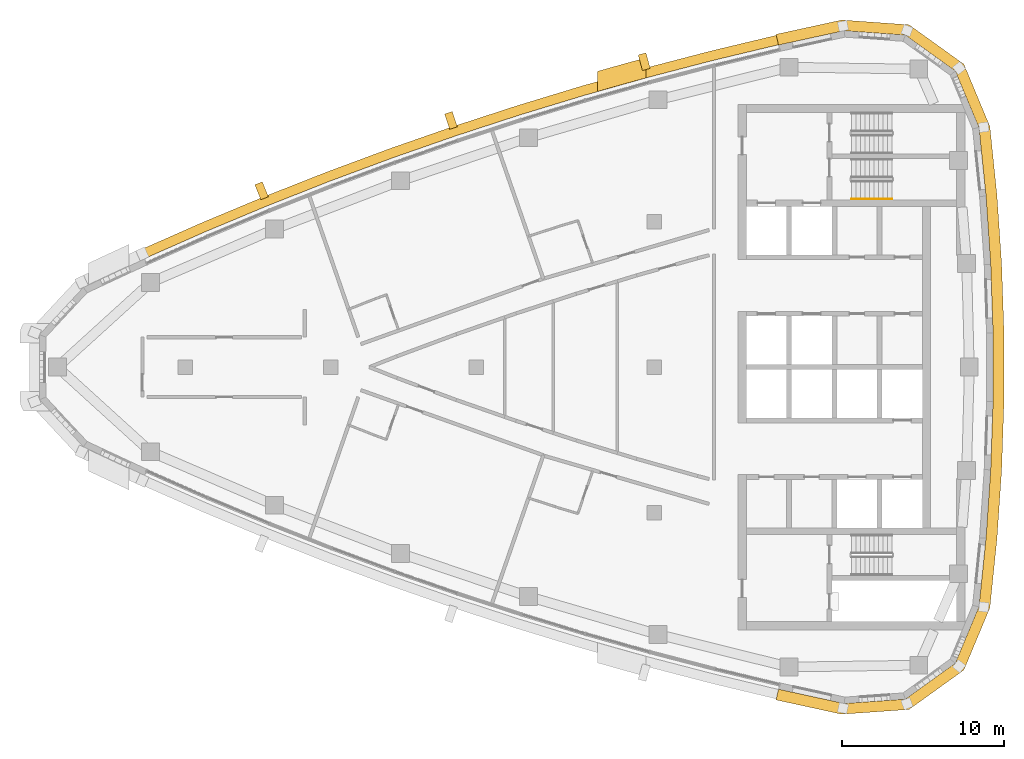
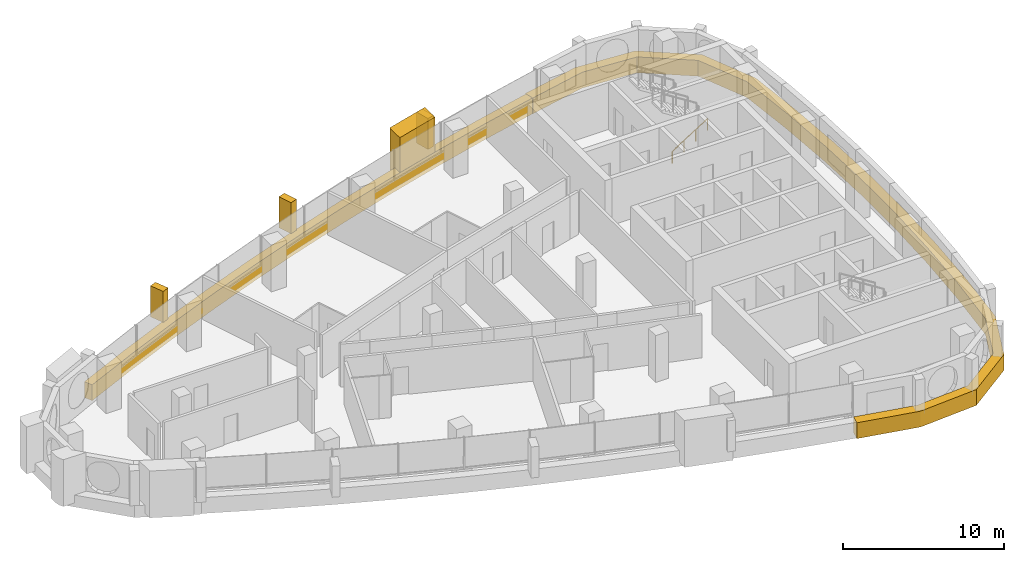
# One storey, part 13 of 14: 6 coverings, 1 railing.
"""IFC4 building model written with IfcOpenShell, lengths in metres."""

import ifcopenshell
import ifcopenshell.guid

model = None  # the IFC model being written
_history = None  # IfcOwnerHistory: only IFC2X3 demands one
_inside = {}  # id of a spatial element -> (the spatial element, [elements in it])
_under = {}  # id of a project, library or spatial element -> (it, [spatial elements below it])
_declared = {}  # id of a project -> (the project, [libraries it declares])
_typed = {}  # id of a type object -> (the type object, [elements of that type])
_made_of = {}  # id of a material, layer set ... -> (it, [elements and type objects made of it])


def new_model(schema):
    """Start an empty IFC model of exactly this schema.

    Asked for "IFC4X3", IfcOpenShell would pick the latest addendum, in which some entities
    have other attributes; the version numbers below select the first issue.
    IFC2X3 requires an IfcOwnerHistory on every rooted entity: one is made here for all.
    """
    global model, _history
    if schema == "IFC4X3":
        model = ifcopenshell.file(schema_version=(4, 3, 0, 0))
    else:
        model = ifcopenshell.file(schema=schema)
    _inside.clear()
    _under.clear()
    _declared.clear()
    _typed.clear()
    _made_of.clear()
    _history = None
    if model.schema == "IFC2X3":
        org = make("IfcOrganization", Name="unknown")
        user = make(
            "IfcPersonAndOrganization",
            ThePerson=make("IfcPerson", FamilyName="unknown"),
            TheOrganization=org,
        )
        app = make(
            "IfcApplication",
            ApplicationDeveloper=org,
            Version="unknown",
            ApplicationFullName="unknown",
            ApplicationIdentifier="unknown",
        )
        _history = make(
            "IfcOwnerHistory",
            OwningUser=user,
            OwningApplication=app,
            ChangeAction="ADDED",
            CreationDate=0,
        )
    return model


def make(cls, **values):
    """One entity of the class cls with the attributes given. An attribute that is None is left unset."""
    return model.create_entity(
        cls, **{name: value for name, value in values.items() if value is not None}
    )


def rooted(cls, **values):
    """An entity with a GlobalId (a new one), such as an element, a storey or a relation."""
    return make(cls, GlobalId=ifcopenshell.guid.new(), OwnerHistory=_history, **values)


def si_unit(unit_type, name, prefix=None):
    """IfcSIUnit, for example si_unit("LENGTHUNIT", "METRE", prefix="MILLI")."""
    return make("IfcSIUnit", UnitType=unit_type, Prefix=prefix, Name=name)


def assignment(units):
    """IfcUnitAssignment: the units of a project."""
    return None if units is None else make("IfcUnitAssignment", Units=units)


def point(xyz):
    """IfcCartesianPoint."""
    return None if xyz is None else make("IfcCartesianPoint", Coordinates=xyz)


def direction(xyz):
    """IfcDirection."""
    return None if xyz is None else make("IfcDirection", DirectionRatios=xyz)


def frame(location, z_axis=None, x_axis=None):
    """IfcAxis2Placement3D, a coordinate frame: its origin and axes. An axis left out is left unset."""
    return make(
        "IfcAxis2Placement3D",
        Location=point(location),
        Axis=direction(z_axis),
        RefDirection=direction(x_axis),
    )


def frame_2d(location, x_axis=None):
    """IfcAxis2Placement2D, a coordinate frame in the plane: its origin and x axis."""
    return make(
        "IfcAxis2Placement2D", Location=point(location), RefDirection=direction(x_axis)
    )


def origin():
    """The frame at (0, 0, 0) with its axes left unset."""
    return frame((0.0, 0.0, 0.0))


def origin_2d():
    """The frame at (0, 0) in the plane with its x axis left unset."""
    return frame_2d((0.0, 0.0))


def place(relative_to, where):
    """IfcLocalPlacement: puts the frame where relative to a parent placement (None: the world)."""
    return make(
        "IfcLocalPlacement", PlacementRelTo=relative_to, RelativePlacement=where
    )


def context(
    kind, dimensions, precision=None, world=None, true_north=None, identifier=None
):
    """IfcGeometricRepresentationContext, for example the 3D "Model" context."""
    return make(
        "IfcGeometricRepresentationContext",
        ContextIdentifier=identifier,
        ContextType=kind,
        CoordinateSpaceDimension=dimensions,
        Precision=precision,
        WorldCoordinateSystem=world,
        TrueNorth=true_north,
    )


def subcontext(parent, identifier, kind, view, scale=None):
    """IfcGeometricRepresentationSubContext, for example "Body" below "Model"."""
    return make(
        "IfcGeometricRepresentationSubContext",
        ContextIdentifier=identifier,
        ContextType=kind,
        ParentContext=parent,
        TargetScale=scale,
        TargetView=view,
    )


def project(units=None, contexts=None):
    """IfcProject with its units and contexts."""
    return rooted(
        "IfcProject",
        Name="project",
        RepresentationContexts=contexts,
        UnitsInContext=assignment(units),
    )


def spatial(cls, under=None, at=None, **own):
    """A site, building, storey or space (cls), placed at a placement, below another one or the project."""
    s = rooted(cls, ObjectPlacement=at, **own)
    if under is not None:
        _under.setdefault(under.id(), (under, []))[1].append(s)
    return s


def polyline(points):
    """IfcPolyline through the points."""
    return make("IfcPolyline", Points=[point(p) for p in points])


def profile(cls, at=None, kind="AREA", **sizes):
    """A parametric profile (cls). Its sizes go by their IFC names, for example OverallWidth=200.0."""
    return make(cls, ProfileType=kind, Position=at, **sizes)


def rectangle(**sizes):
    """IfcRectangleProfileDef."""
    return profile("IfcRectangleProfileDef", **sizes)


def circle(**sizes):
    """IfcCircleProfileDef."""
    return profile("IfcCircleProfileDef", **sizes)


def outline(outer, holes=None, kind="AREA"):
    """IfcArbitraryClosedProfileDef: a profile drawn as a closed curve; with holes, ...WithVoids."""
    if holes is None:
        return make("IfcArbitraryClosedProfileDef", ProfileType=kind, OuterCurve=outer)
    return make(
        "IfcArbitraryProfileDefWithVoids",
        ProfileType=kind,
        OuterCurve=outer,
        InnerCurves=holes,
    )


def extrude(swept, where, along, depth):
    """IfcExtrudedAreaSolid: the profile swept, set in the frame where, extruded along a direction by depth."""
    return make(
        "IfcExtrudedAreaSolid",
        SweptArea=swept,
        Position=where,
        ExtrudedDirection=direction(along),
        Depth=depth,
    )


def shape(context_of_items, identifier, shape_type, items):
    """IfcShapeRepresentation: the items that make up one representation, for example the "Body"."""
    return make(
        "IfcShapeRepresentation",
        ContextOfItems=context_of_items,
        RepresentationIdentifier=identifier,
        RepresentationType=shape_type,
        Items=items,
    )


def material(Name=None, Category=None):
    """IfcMaterial."""
    return make("IfcMaterial", Name=Name, Category=Category)


def layer(
    of_material, thickness, ventilated=None, Name=None, Category=None, Priority=None
):
    """IfcMaterialLayer: one layer of a wall or slab, of a material (None: an air gap)."""
    return make(
        "IfcMaterialLayer",
        Material=of_material,
        LayerThickness=thickness,
        IsVentilated=ventilated,
        Name=Name,
        Category=Category,
        Priority=Priority,
    )


def layer_set(layers, Name=None):
    """IfcMaterialLayerSet."""
    return make("IfcMaterialLayerSet", MaterialLayers=layers, LayerSetName=Name)


def made_of(thing, what):
    """Note that an element or type object is made of a material, layer set ...; save() writes the relation."""
    if what is not None:
        _made_of.setdefault(what.id(), (what, []))[1].append(thing)
    return thing


def type_object(cls, material=None, **own):
    """A type object (cls), such as IfcWallType, which elements share."""
    return made_of(rooted(cls, **own), material)


def element(
    cls,
    number,
    at=None,
    inside=None,
    cuts=None,
    type_object=None,
    material=None,
    context=None,
    identifier="Body",
    shape_type=None,
    held_by="IfcProductDefinitionShape",
    body=None,
    shapes=None,
    **own,
):
    """One element of the class cls, such as IfcWall. Its Tag is "e" and its number.

    at: its placement. inside: the storey or other place that contains it. cuts: it is an
    opening in that element (IfcRelVoidsElement). A single representation is given by context,
    identifier, shape_type and body (its items); several are given by shapes. held_by: the class
    of the entity that holds the representations. save() writes the other relations.
    """
    e = rooted(cls, Tag="e%d" % number, ObjectPlacement=at, **own)
    if body is not None:
        shapes = [shape(context, identifier, shape_type, body)]
    if shapes is not None:
        e.Representation = make(held_by, Representations=shapes)
    if inside is not None:
        _inside.setdefault(inside.id(), (inside, []))[1].append(e)
    if cuts is not None:
        rooted(
            "IfcRelVoidsElement", RelatingBuildingElement=cuts, RelatedOpeningElement=e
        )
    if type_object is not None:
        _typed.setdefault(type_object.id(), (type_object, []))[1].append(e)
    return made_of(e, material)


def aggregate(whole, parts):
    """IfcRelAggregates: a whole, such as a stair, and the parts it consists of."""
    return rooted("IfcRelAggregates", RelatingObject=whole, RelatedObjects=parts)


def save(model, path):
    """Write the relations noted so far, then the file.

    IfcRelAggregates (storeys below a building ...), IfcRelContainedInSpatialStructure (elements
    in a storey), IfcRelDefinesByType, IfcRelAssociatesMaterial and IfcRelDeclares: one each for
    every whole, place, type object, material and project.
    """
    for whole, parts in _under.values():
        aggregate(whole, parts)
    for where, things in _inside.values():
        rooted(
            "IfcRelContainedInSpatialStructure",
            RelatedElements=things,
            RelatingStructure=where,
        )
    for kind, things in _typed.values():
        rooted("IfcRelDefinesByType", RelatedObjects=things, RelatingType=kind)
    for what, things in _made_of.values():
        rooted("IfcRelAssociatesMaterial", RelatedObjects=things, RelatingMaterial=what)
    for by, libraries in _declared.values():
        rooted("IfcRelDeclares", RelatingContext=by, RelatedDefinitions=libraries)
    model.write(path)


model = new_model("IFC4")

# Units and contexts
model_context = context("Model", 3, precision=1e-05, world=origin(), true_north=direction((0.0, 1.0)))
body_context = subcontext(model_context, "Body", "Model", "MODEL_VIEW")
ifc_project = project(units=[si_unit("LENGTHUNIT", "METRE"), si_unit("AREAUNIT", "SQUARE_METRE"), si_unit("VOLUMEUNIT", "CUBIC_METRE"), si_unit("PLANEANGLEUNIT", "RADIAN"), si_unit("MASSUNIT", "GRAM", prefix="KILO")], contexts=[model_context])

# Site, building, storey
site_placement = place(None, origin())
site = spatial("IfcSite", under=ifc_project, at=site_placement, CompositionType="ELEMENT")
building_placement = place(site_placement, origin())
building = spatial("IfcBuilding", under=site, at=building_placement, Name="Ostrand Prow Hotel Tower", CompositionType="ELEMENT")
storey_placement = place(building_placement, frame((0.0, 0.0, 275.0)))
storey = spatial("IfcBuildingStorey", under=building, at=storey_placement, Name="L69", CompositionType="ELEMENT", Elevation=275.0)

# Coverings
ifc_material_1 = material(Name="Bronze anodised aluminium cladding", Category="aluminium")
ifc_layer_1 = layer(ifc_material_1, 0.60009765625)
ifc_layer_set_1 = layer_set([ifc_layer_1], Name="Bronze anodised aluminium cladding")
covering_type_1 = type_object("IfcCoveringType", Name="Bronze spandrel band 1200x600", PredefinedType="CLADDING", material=ifc_layer_set_1)
covering_1_placement = place(storey_placement, frame((0.0, 0.0, -0.300048828125)))
element("IfcCovering", 1, at=covering_1_placement, inside=storey, type_object=covering_type_1, Name="Spandrel band N1", PredefinedType="CLADDING", context=body_context, shape_type="SweptSolid", body=[
    extrude(outline(polyline([(52.55615234375, 20.52880859375), (48.51220703125, 19.56103515625), (44.48828125, 18.51220703125), (40.486328125, 17.382568359375), (36.508056640625, 16.172607421875), (32.5546875, 14.88330078125), (28.62841796875, 13.514404296875), (24.72998046875, 12.067138671875), (20.86181640625, 10.541748046875), (17.02490234375, 8.938720703125), (13.220947265625, 7.25927734375), (13.468994140625, 6.712890625), (17.26171875, 8.3876953125), (21.08740234375, 9.98583984375), (24.944580078125, 11.5068359375), (28.83154296875, 12.949951171875), (32.74658203125, 14.314697265625), (36.6884765625, 15.6005859375), (40.6552734375, 16.806884765625), (44.6455078125, 17.93310546875), (48.65771484375, 18.97900390625), (52.68994140625, 19.94384765625), (52.55615234375, 20.52880859375)])), origin(), (0.0, 0.0, 1.0), 1.199951171875),
])
covering_2_placement = place(storey_placement, frame((0.0, 0.0, -0.300048828125)))
element("IfcCovering", 2, at=covering_2_placement, inside=storey, type_object=covering_type_1, Name="Spandrel band back 1", PredefinedType="CLADDING", context=body_context, shape_type="SweptSolid", body=[
    extrude(outline(polyline([(52.542236328125, -20.58984375), (56.606201171875, -21.476318359375), (60.771728515625, -21.17919921875), (64.162841796875, -18.741455078125), (65.77197265625, -14.887451171875), (66.2080078125, -10.646240234375), (66.498779296875, -6.392822265625), (66.644287109375, -2.131591796875), (66.644287109375, 2.131591796875), (66.498779296875, 6.392822265625), (66.2080078125, 10.646240234375), (65.77197265625, 14.887451171875), (64.162841796875, 18.741455078125), (60.771728515625, 21.17919921875), (56.606201171875, 21.476318359375), (52.542236328125, 20.58984375), (52.69384765625, 19.927001953125), (56.744384765625, 20.810546875), (60.540283203125, 20.539794921875), (63.630615234375, 18.318359375), (65.0966796875, 14.806396484375), (65.530517578125, 10.58837890625), (65.819580078125, 6.35791015625), (65.964599609375, 2.1201171875), (65.964599609375, -2.1201171875), (65.819580078125, -6.35791015625), (65.530517578125, -10.58837890625), (65.0966796875, -14.806396484375), (63.630615234375, -18.318359375), (60.540283203125, -20.539794921875), (56.744384765625, -20.810546875), (52.69384765625, -19.927001953125), (52.542236328125, -20.58984375)])), origin(), (0.0, 0.0, 1.0), 1.199951171875),
])
ifc_material_2 = material(Name="Limestone cladding", Category="masonry")
ifc_layer_2 = layer(ifc_material_2, 5.0)
ifc_layer_set_2 = layer_set([ifc_layer_2], Name="Limestone cladding")
covering_type_2 = type_object("IfcCoveringType", Name="Portal jamb pilaster limestone", PredefinedType="CLADDING", material=ifc_layer_set_2)
covering_3_placement = place(storey_placement, origin())
element("IfcCovering", 3, at=covering_3_placement, inside=storey, type_object=covering_type_2, Name="Portal jamb NB L69", PredefinedType="CLADDING", context=body_context, shape_type="SweptSolid", body=[
    extrude(outline(polyline([(41.5, 17.052490234375), (42.5, 17.338134765625), (43.5, 17.61865234375), (44.5, 17.8935546875), (44.5, 19.136962890625), (43.5, 18.86376953125), (42.5, 18.585205078125), (41.5, 18.301025390625), (41.5, 17.052490234375)])), origin(), (0.0, 0.0, 1.0), 3.550048828125),
])
ifc_material_3 = material(Name="Limestone cladding", Category="masonry")
ifc_layer_3 = layer(ifc_material_3, 0.5)
ifc_layer_set_3 = layer_set([ifc_layer_3], Name="Limestone cladding")
covering_type_3 = type_object("IfcCoveringType", Name="Precast stone fin 500x900", PredefinedType="CLADDING", material=ifc_layer_set_3)
for number, where, z_axis, x_axis, name in (
    (4, (44.514404296875, 18.41552734375, 0.89990234375), (0.0, 0.0, 1.0), (-0.261960376774, 0.965078629439, 0.0), "Stone fin N 3"),
    (5, (32.5869140625, 14.78857421875, 0.89990234375), (0.0, 0.0, 1.0), (-0.319814258793, 0.947480258302, 0.0), "Stone fin N 6"),
):
    element("IfcCovering", number, at=place(storey_placement, frame(where, z_axis=z_axis, x_axis=x_axis)), inside=storey, type_object=covering_type_3, Name=name, PredefinedType="CLADDING", context=body_context, shape_type="SweptSolid", body=[
        extrude(rectangle(XDim=1.0, YDim=0.5, at=frame_2d((0.5, 0.0))), origin(), (0.0, 0.0, 1.0), 2.35009765625),
    ])
covering_4_placement = place(storey_placement, frame((20.8994140625, 10.44921875, 0.89990234375), z_axis=(0.0, 0.0, 1.0), x_axis=(-0.376311544034, 0.926493184987, 0.0)))
element("IfcCovering", 6, at=covering_4_placement, inside=storey, type_object=covering_type_3, Name="Stone fin N 9", PredefinedType="CLADDING", context=body_context, shape_type="SweptSolid", body=[
    extrude(rectangle(XDim=0.999755859375, YDim=0.5, at=frame_2d((0.5, 0.0))), origin(), (0.0, 0.0, 1.0), 2.35009765625),
])

# Railing
ifc_material_4 = material(Name="Stainless steel", Category="steel")
railing_type = type_object("IfcRailingType", Name="Stair handrail 900", PredefinedType="HANDRAIL", material=ifc_material_4)
railing_placement = place(storey_placement, frame((57.199951171875, 10.39990234375, 0.177490234375)))
element("IfcRailing", 7, at=railing_placement, inside=storey, type_object=railing_type, Name="L69 ST1C stair handrail 1", PredefinedType="HANDRAIL", context=body_context, shape_type="SweptSolid", body=[
    extrude(circle(Radius=0.02392578125, at=origin_2d()), frame((0.0, 0.0, 0.8759765625), z_axis=(0.84460694969, 0.0, 0.535386869969), x_axis=(0.0, 1.0, 0.0)), (0.0, 0.0, 1.0), 2.983642578125),
    extrude(circle(Radius=0.02099609375, at=origin_2d()), origin(), (0.0, 0.0, 1.0), 0.851806640625),
    extrude(circle(Radius=0.02099609375, at=origin_2d()), frame((0.840087890625, 0.0, 0.532470703125)), (0.0, 0.0, 1.0), 0.851806640625),
    extrude(circle(Radius=0.02099609375, at=origin_2d()), frame((1.679931640625, 0.0, 1.06494140625)), (0.0, 0.0, 1.0), 0.851806640625),
    extrude(circle(Radius=0.02099609375, at=origin_2d()), frame((2.52001953125, 0.0, 1.597412109375)), (0.0, 0.0, 1.0), 0.851806640625),
])

save(model, "model.ifc")
